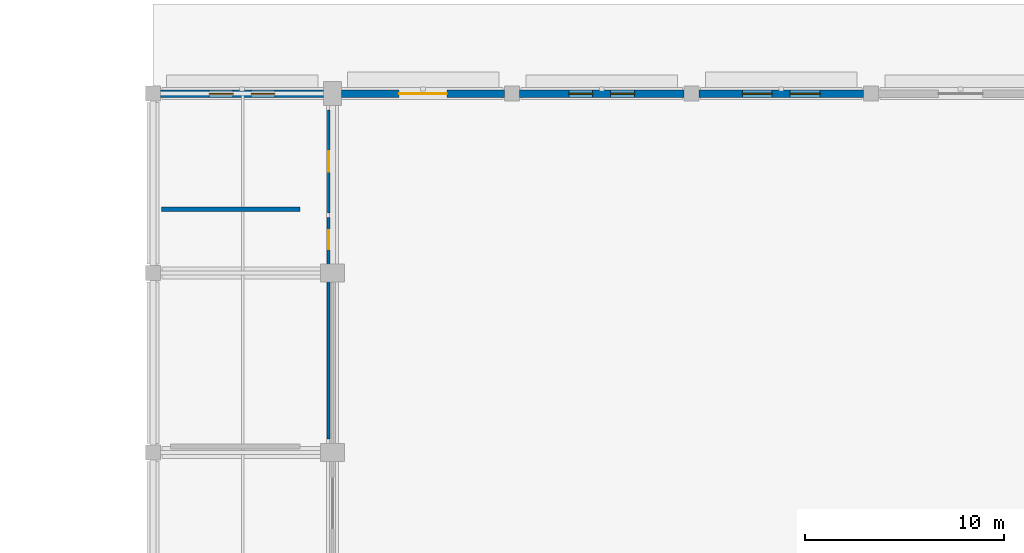
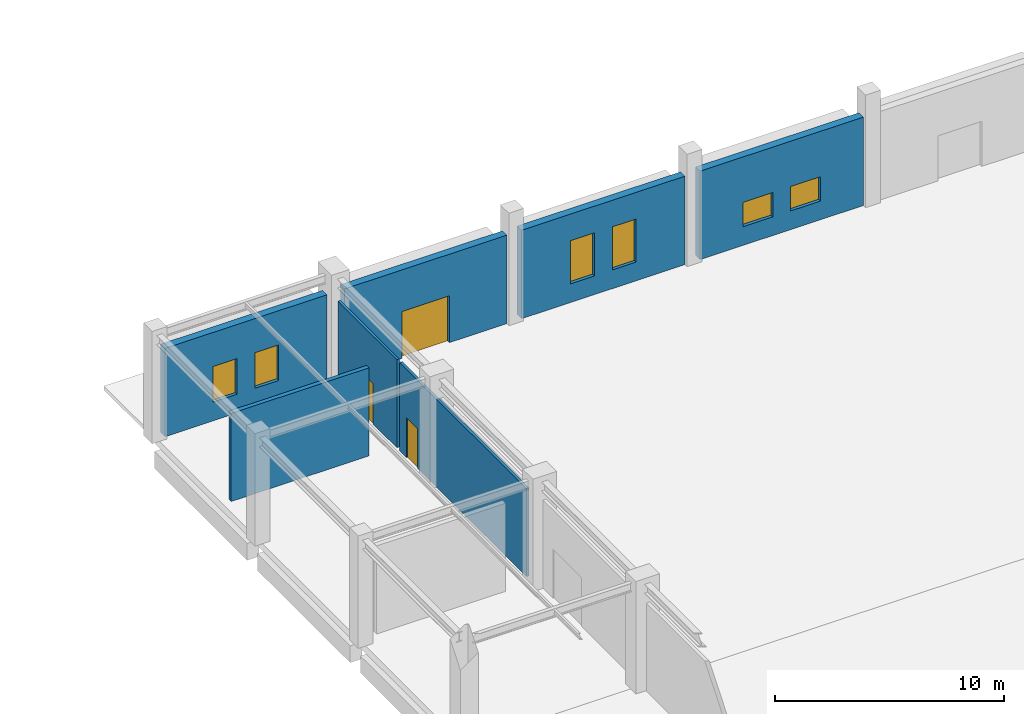
# One storey, part 68 of 91: 7 walls, 6 windows, 3 doors, 9 openings.
"""IFC4 building model written with IfcOpenShell, lengths in metres."""

from ifc_helpers import new_model, si_unit, direction, frame, frame_2d, origin, place, context, subcontext, project, spatial, rectangle, extrude, material, layer, layer_set, type_object, element, fill, save


model = new_model("IFC4")

# Units and contexts
model_context = context("Model", 3, precision=1e-05, world=origin(), true_north=direction((0.0, 1.0)))
body_context = subcontext(model_context, "Body", "Model", "MODEL_VIEW")
ifc_project = project(units=[si_unit("LENGTHUNIT", "METRE"), si_unit("AREAUNIT", "SQUARE_METRE"), si_unit("VOLUMEUNIT", "CUBIC_METRE"), si_unit("PLANEANGLEUNIT", "RADIAN"), si_unit("MASSUNIT", "GRAM", prefix="KILO")], contexts=[model_context])

# Site, building, storey
site_placement = place(None, origin())
site = spatial("IfcSite", under=ifc_project, at=site_placement, CompositionType="ELEMENT")
building_placement = place(site_placement, origin())
building = spatial("IfcBuilding", under=site, at=building_placement, Name="Dornveld Trade and Exhibition Forum", CompositionType="ELEMENT")
storey_placement = place(building_placement, origin())
storey = spatial("IfcBuildingStorey", under=building, at=storey_placement, Name="L00", CompositionType="ELEMENT", Elevation=0.0)

# Wall, openings, windows
ifc_material_1 = material(Name="Precast concrete C50/60", Category="concrete")
ifc_layer_1 = layer(ifc_material_1, 0.3798828125)
ifc_layer_set_1 = layer_set([ifc_layer_1], Name="Precast concrete C50/60")
wall_type_1 = type_object("IfcWallType", Name="WL-EXT-PC380", PredefinedType="SOLIDWALL", material=ifc_layer_set_1)
wall_1_placement = place(storey_placement, frame((98.550537109375, 162.0, 0.0), z_axis=(0.0, 0.0, 1.0), x_axis=(-1.0, 0.0, 0.0)))
wall_1 = element("IfcWall", 1, at=wall_1_placement, inside=storey, type_object=wall_type_1, Name="L00 precast facade wall 27", PredefinedType="SOLIDWALL", context=body_context, shape_type="SweptSolid", body=[
    extrude(rectangle(XDim=8.176025390625, YDim=0.3798828125, at=frame_2d((4.087890625, 0.0))), origin(), (0.0, 0.0, 1.0), 4.719970703125),
])
opening_1_placement = place(wall_1_placement, frame((2.43798828125, 0.0, 1.0)))
opening_1 = element("IfcOpeningElement", 2, at=opening_1_placement, cuts=wall_1, Name="Opening W-05", PredefinedType="OPENING", context=body_context, shape_type="SweptSolid", body=[
    extrude(rectangle(XDim=1.199951171875, YDim=1.89990234375, at=frame_2d((0.60009765625, 0.949951171875))), frame((0.0, 0.199951171875, 0.0), z_axis=(0.0, -1.0, 0.0), x_axis=(1.0, 0.0, 0.0)), (0.0, 0.0, 1.0), 0.39990234375),
])
opening_2_placement = place(wall_1_placement, frame((4.5380859375, 0.0, 1.0)))
opening_2 = element("IfcOpeningElement", 3, at=opening_2_placement, cuts=wall_1, Name="Opening W-05", PredefinedType="OPENING", context=body_context, shape_type="SweptSolid", body=[
    extrude(rectangle(XDim=1.199951171875, YDim=1.89990234375, at=frame_2d((0.60009765625, 0.949951171875))), frame((0.0, 0.199951171875, 0.0), z_axis=(0.0, -1.0, 0.0), x_axis=(1.0, 0.0, 0.0)), (0.0, 0.0, 1.0), 0.39990234375),
])
ifc_material_2 = material(Name="Dark-bronze anodised aluminium and low-E glass", Category="aluminium")
window_type_1 = type_object("IfcWindowType", Name="WIN-AL-05", PartitioningType="SINGLE_PANEL", PredefinedType="WINDOW", material=ifc_material_2)
window_1_placement = place(opening_1_placement, origin())
window_1 = element("IfcWindow", 4, at=window_1_placement, inside=storey, type_object=window_type_1, Name="L00 facade window 5", OverallHeight=1.89990234375, OverallWidth=1.199951171875, PartitioningType="SINGLE_PANEL", PredefinedType="WINDOW", context=body_context, shape_type="SweptSolid", body=[
    extrude(rectangle(XDim=1.199951171875, YDim=1.89990234375, at=frame_2d((0.60009765625, 0.949951171875))), frame((0.0, 0.030029296875, 0.0), z_axis=(0.0, -1.0, 0.0), x_axis=(1.0, 0.0, 0.0)), (0.0, 0.0, 1.0), 0.06005859375),
])
fill(opening_1, window_1)
window_2_placement = place(opening_2_placement, origin())
window_2 = element("IfcWindow", 5, at=window_2_placement, inside=storey, type_object=window_type_1, Name="L00 facade window 6", OverallHeight=1.89990234375, OverallWidth=1.199951171875, PartitioningType="SINGLE_PANEL", PredefinedType="WINDOW", context=body_context, shape_type="SweptSolid", body=[
    extrude(rectangle(XDim=1.199951171875, YDim=1.89990234375, at=frame_2d((0.60009765625, 0.949951171875))), frame((0.0, 0.030029296875, 0.0), z_axis=(0.0, -1.0, 0.0), x_axis=(1.0, 0.0, 0.0)), (0.0, 0.0, 1.0), 0.06005859375),
])
fill(opening_2, window_2)

# Wall, opening, door
wall_2_placement = place(storey_placement, frame((107.62548828125, 162.0, 0.0), z_axis=(0.0, 0.0, 1.0), x_axis=(-1.0, 0.0, 0.0)))
wall_2 = element("IfcWall", 6, at=wall_2_placement, inside=storey, type_object=wall_type_1, Name="L00 precast facade wall 28", PredefinedType="SOLIDWALL", context=body_context, shape_type="SweptSolid", body=[
    extrude(rectangle(XDim=8.176025390625, YDim=0.3798828125, at=frame_2d((4.087890625, 0.0))), origin(), (0.0, 0.0, 1.0), 4.719970703125),
])
opening_3_placement = place(wall_2_placement, frame((2.887939453125, 0.0, 0.0)))
opening_3 = element("IfcOpeningElement", 7, at=opening_3_placement, cuts=wall_2, Name="Opening ED-13", PredefinedType="OPENING", context=body_context, shape_type="SweptSolid", body=[
    extrude(rectangle(XDim=2.39990234375, YDim=2.5, at=frame_2d((1.199951171875, 1.25))), frame((0.0, 0.199951171875, 0.0), z_axis=(0.0, -1.0, 0.0), x_axis=(1.0, 0.0, 0.0)), (0.0, 0.0, 1.0), 0.39990234375),
])
ifc_material_3 = material(Name="Dark-bronze anodised aluminium and laminated safety glass", Category="aluminium")
door_type_1 = type_object("IfcDoorType", Name="DR-EXT-240x250", OperationType="NOTDEFINED", PredefinedType="DOOR", material=ifc_material_3)
door_1_placement = place(opening_3_placement, frame((2.39990234375, 0.0, 0.0), z_axis=(0.0, 0.0, 1.0), x_axis=(-1.0, 0.0, 0.0)))
door_1 = element("IfcDoor", 8, at=door_1_placement, inside=storey, type_object=door_type_1, Name="Ground final exit double door 13", OperationType="DOUBLE_DOOR_SINGLE_SWING", OverallHeight=2.5, OverallWidth=2.39990234375, PredefinedType="DOOR", context=body_context, shape_type="SweptSolid", body=[
    extrude(rectangle(XDim=2.39990234375, YDim=2.5, at=frame_2d((1.199951171875, 1.25))), frame((0.0, 0.02490234375, 0.0), z_axis=(0.0, -1.0, 0.0), x_axis=(1.0, 0.0, 0.0)), (0.0, 0.0, 1.0), 0.050048828125),
])
fill(opening_3, door_1)

# Wall, openings, windows
wall_3_placement = place(storey_placement, frame((116.62548828125, 162.0, 0.0), z_axis=(0.0, 0.0, 1.0), x_axis=(-1.0, 0.0, 0.0)))
wall_3 = element("IfcWall", 9, at=wall_3_placement, inside=storey, type_object=wall_type_1, Name="L00 precast facade wall 29", PredefinedType="SOLIDWALL", context=body_context, shape_type="SweptSolid", body=[
    extrude(rectangle(XDim=8.2509765625, YDim=0.3798828125, at=frame_2d((4.12548828125, 0.0))), origin(), (0.0, 0.0, 1.0), 4.719970703125),
])
opening_4_placement = place(wall_3_placement, frame((2.4755859375, 0.0, 1.0)))
opening_4 = element("IfcOpeningElement", 10, at=opening_4_placement, cuts=wall_3, Name="Opening W-07", PredefinedType="OPENING", context=body_context, shape_type="SweptSolid", body=[
    extrude(rectangle(XDim=1.199951171875, YDim=2.300048828125, at=frame_2d((0.60009765625, 1.14990234375))), frame((0.0, 0.199951171875, 0.0), z_axis=(0.0, -1.0, 0.0), x_axis=(1.0, 0.0, 0.0)), (0.0, 0.0, 1.0), 0.39990234375),
])
opening_5_placement = place(wall_3_placement, frame((4.575439453125, 0.0, 1.0)))
opening_5 = element("IfcOpeningElement", 11, at=opening_5_placement, cuts=wall_3, Name="Opening W-07", PredefinedType="OPENING", context=body_context, shape_type="SweptSolid", body=[
    extrude(rectangle(XDim=1.199951171875, YDim=2.300048828125, at=frame_2d((0.60009765625, 1.14990234375))), frame((0.0, 0.199951171875, 0.0), z_axis=(0.0, -1.0, 0.0), x_axis=(1.0, 0.0, 0.0)), (0.0, 0.0, 1.0), 0.39990234375),
])
ifc_material_4 = material(Name="Dark-bronze anodised aluminium and low-E glass", Category="aluminium")
window_type_2 = type_object("IfcWindowType", Name="WIN-AL-07", PartitioningType="SINGLE_PANEL", PredefinedType="WINDOW", material=ifc_material_4)
window_3_placement = place(opening_4_placement, origin())
window_3 = element("IfcWindow", 12, at=window_3_placement, inside=storey, type_object=window_type_2, Name="L00 facade window 7", OverallHeight=2.300048828125, OverallWidth=1.199951171875, PartitioningType="SINGLE_PANEL", PredefinedType="WINDOW", context=body_context, shape_type="SweptSolid", body=[
    extrude(rectangle(XDim=1.199951171875, YDim=2.300048828125, at=frame_2d((0.60009765625, 1.14990234375))), frame((0.0, 0.030029296875, 0.0), z_axis=(0.0, -1.0, 0.0), x_axis=(1.0, 0.0, 0.0)), (0.0, 0.0, 1.0), 0.06005859375),
])
fill(opening_4, window_3)
window_4_placement = place(opening_5_placement, origin())
window_4 = element("IfcWindow", 13, at=window_4_placement, inside=storey, type_object=window_type_2, Name="L00 facade window 8", OverallHeight=2.300048828125, OverallWidth=1.199951171875, PartitioningType="SINGLE_PANEL", PredefinedType="WINDOW", context=body_context, shape_type="SweptSolid", body=[
    extrude(rectangle(XDim=1.199951171875, YDim=2.300048828125, at=frame_2d((0.60009765625, 1.14990234375))), frame((0.0, 0.030029296875, 0.0), z_axis=(0.0, -1.0, 0.0), x_axis=(1.0, 0.0, 0.0)), (0.0, 0.0, 1.0), 0.06005859375),
])
fill(opening_5, window_4)

wall_4_placement = place(storey_placement, frame((125.62548828125, 162.0, 0.0), z_axis=(0.0, 0.0, 1.0), x_axis=(-1.0, 0.0, 0.0)))
wall_4 = element("IfcWall", 14, at=wall_4_placement, inside=storey, type_object=wall_type_1, Name="L00 precast facade wall 30", PredefinedType="SOLIDWALL", context=body_context, shape_type="SweptSolid", body=[
    extrude(rectangle(XDim=8.2509765625, YDim=0.3798828125, at=frame_2d((4.12548828125, 0.0))), origin(), (0.0, 0.0, 1.0), 4.719970703125),
])
opening_6_placement = place(wall_4_placement, frame((2.175537109375, 0.0, 1.0)))
opening_6 = element("IfcOpeningElement", 15, at=opening_6_placement, cuts=wall_4, Name="Opening W-09", PredefinedType="OPENING", context=body_context, shape_type="SweptSolid", body=[
    extrude(rectangle(XDim=1.5, YDim=1.300048828125, at=frame_2d((0.75, 0.64990234375))), frame((0.0, 0.199951171875, 0.0), z_axis=(0.0, -1.0, 0.0), x_axis=(1.0, 0.0, 0.0)), (0.0, 0.0, 1.0), 0.39990234375),
])
opening_7_placement = place(wall_4_placement, frame((4.575439453125, 0.0, 1.0)))
opening_7 = element("IfcOpeningElement", 16, at=opening_7_placement, cuts=wall_4, Name="Opening W-09", PredefinedType="OPENING", context=body_context, shape_type="SweptSolid", body=[
    extrude(rectangle(XDim=1.5, YDim=1.300048828125, at=frame_2d((0.75, 0.64990234375))), frame((0.0, 0.199951171875, 0.0), z_axis=(0.0, -1.0, 0.0), x_axis=(1.0, 0.0, 0.0)), (0.0, 0.0, 1.0), 0.39990234375),
])
ifc_material_5 = material(Name="Dark-bronze anodised aluminium and low-E glass", Category="aluminium")
window_type_3 = type_object("IfcWindowType", Name="WIN-AL-09", PartitioningType="SINGLE_PANEL", PredefinedType="WINDOW", material=ifc_material_5)
window_5_placement = place(opening_6_placement, origin())
window_5 = element("IfcWindow", 17, at=window_5_placement, inside=storey, type_object=window_type_3, Name="L00 facade window 9", OverallHeight=1.300048828125, OverallWidth=1.5, PartitioningType="SINGLE_PANEL", PredefinedType="WINDOW", context=body_context, shape_type="SweptSolid", body=[
    extrude(rectangle(XDim=1.5, YDim=1.300048828125, at=frame_2d((0.75, 0.64990234375))), frame((0.0, 0.030029296875, 0.0), z_axis=(0.0, -1.0, 0.0), x_axis=(1.0, 0.0, 0.0)), (0.0, 0.0, 1.0), 0.06005859375),
])
fill(opening_6, window_5)
window_6_placement = place(opening_7_placement, origin())
window_6 = element("IfcWindow", 18, at=window_6_placement, inside=storey, type_object=window_type_3, Name="L00 facade window 10", OverallHeight=1.300048828125, OverallWidth=1.5, PartitioningType="SINGLE_PANEL", PredefinedType="WINDOW", context=body_context, shape_type="SweptSolid", body=[
    extrude(rectangle(XDim=1.5, YDim=1.300048828125, at=frame_2d((0.75, 0.64990234375))), frame((0.0, 0.030029296875, 0.0), z_axis=(0.0, -1.0, 0.0), x_axis=(1.0, 0.0, 0.0)), (0.0, 0.0, 1.0), 0.06005859375),
])
fill(opening_7, window_6)

# Wall
ifc_material_6 = material(Name="Acoustic twin-stud gypsum and mineral wool", Category="gypsum")
ifc_layer_2 = layer(ifc_material_6, 0.215087890625)
ifc_layer_set_2 = layer_set([ifc_layer_2], Name="Acoustic twin-stud gypsum and mineral wool")
wall_type_2 = type_object("IfcWallType", Name="WL-INT-AC215", PredefinedType="PARTITIONING", material=ifc_layer_set_2)
wall_5_placement = place(storey_placement, frame((90.419921875, 156.199951171875, 0.0), z_axis=(0.0, 0.0, 1.0), x_axis=(1.0, 0.0, 0.0)))
element("IfcWall", 19, at=wall_5_placement, inside=storey, type_object=wall_type_2, Name="L00 interior partition 4", PredefinedType="PARTITIONING", context=body_context, shape_type="SweptSolid", body=[
    extrude(rectangle(XDim=6.9599609375, YDim=0.215087890625, at=frame_2d((3.47998046875, 0.0))), origin(), (0.0, 0.0, 1.0), 4.699951171875),
])

# Wall, opening, door
ifc_material_7 = material(Name="Steel-stud gypsum partition", Category="steel")
ifc_layer_3 = layer(ifc_material_7, 0.135009765625)
ifc_layer_set_3 = layer_set([ifc_layer_3], Name="Steel-stud gypsum partition")
wall_type_3 = type_object("IfcWallType", Name="WL-INT-ST135", PredefinedType="PARTITIONING", material=ifc_layer_set_3)
wall_6_placement = place(storey_placement, frame((98.800048828125, 144.679931640625, 0.0), z_axis=(0.0, 0.0, 1.0), x_axis=(0.0, 1.0, 0.0)))
wall_6 = element("IfcWall", 20, at=wall_6_placement, inside=storey, type_object=wall_type_3, Name="L00 interior partition 21", PredefinedType="PARTITIONING", context=body_context, shape_type="SweptSolid", body=[
    extrude(rectangle(XDim=11.10009765625, YDim=0.135009765625, at=frame_2d((5.550048828125, 0.0))), origin(), (0.0, 0.0, 1.0), 4.699951171875),
])
opening_8_placement = place(wall_6_placement, frame((9.510009765625, 0.0, 0.0)))
opening_8 = element("IfcOpeningElement", 21, at=opening_8_placement, cuts=wall_6, Name="Opening WD-02-011", PredefinedType="OPENING", context=body_context, shape_type="SweptSolid", body=[
    extrude(rectangle(XDim=0.9599609375, YDim=2.1201171875, at=frame_2d((0.47998046875, 1.06005859375))), frame((0.0, 0.077392578125, 0.0), z_axis=(0.0, -1.0, 0.0), x_axis=(1.0, 0.0, 0.0)), (0.0, 0.0, 1.0), 0.155029296875),
])
ifc_material_8 = material(Name="Laminate sanitary lobby door", Category="wood")
door_type_2 = type_object("IfcDoorType", Name="DR-WC-096x212", OperationType="NOTDEFINED", PredefinedType="DOOR", material=ifc_material_8)
door_2_placement = place(opening_8_placement, origin())
door_2 = element("IfcDoor", 22, at=door_2_placement, inside=storey, type_object=door_type_2, Name="L00 interior room door 11", OperationType="SINGLE_SWING_LEFT", OverallHeight=2.1201171875, OverallWidth=0.9599609375, PredefinedType="DOOR", context=body_context, shape_type="SweptSolid", body=[
    extrude(rectangle(XDim=0.9599609375, YDim=2.1201171875, at=frame_2d((0.47998046875, 1.06005859375))), frame((0.0, 0.02490234375, 0.0), z_axis=(0.0, -1.0, 0.0), x_axis=(1.0, 0.0, 0.0)), (0.0, 0.0, 1.0), 0.050048828125),
])
fill(opening_8, door_2)

ifc_material_9 = material(Name="Moisture-resistant wet-room partition", Category="gypsum")
ifc_layer_4 = layer(ifc_material_9, 0.125)
ifc_layer_set_4 = layer_set([ifc_layer_4], Name="Moisture-resistant wet-room partition")
wall_type_4 = type_object("IfcWallType", Name="WL-INT-WC125", PredefinedType="PARTITIONING", material=ifc_layer_set_4)
wall_7_placement = place(storey_placement, frame((98.800048828125, 156.02001953125, 0.0), z_axis=(0.0, 0.0, 1.0), x_axis=(0.0, 1.0, 0.0)))
wall_7 = element("IfcWall", 23, at=wall_7_placement, inside=storey, type_object=wall_type_4, Name="L00 interior partition 22", PredefinedType="PARTITIONING", context=body_context, shape_type="SweptSolid", body=[
    extrude(rectangle(XDim=5.159912109375, YDim=0.125, at=frame_2d((2.580078125, 0.0))), origin(), (0.0, 0.0, 1.0), 4.699951171875),
])
opening_9_placement = place(wall_7_placement, frame((2.070068359375, 0.0, 0.0)))
opening_9 = element("IfcOpeningElement", 24, at=opening_9_placement, cuts=wall_7, Name="Opening WD-01-012", PredefinedType="OPENING", context=body_context, shape_type="SweptSolid", body=[
    extrude(rectangle(XDim=1.02001953125, YDim=2.14990234375, at=frame_2d((0.510009765625, 1.074951171875))), frame((0.0, 0.072509765625, 0.0), z_axis=(0.0, -1.0, 0.0), x_axis=(1.0, 0.0, 0.0)), (0.0, 0.0, 1.0), 0.14501953125),
])
ifc_material_10 = material(Name="Laminate accessible WC outward-opening door", Category="wood")
door_type_3 = type_object("IfcDoorType", Name="DR-WC-102x215", OperationType="NOTDEFINED", PredefinedType="DOOR", material=ifc_material_10)
door_3_placement = place(opening_9_placement, origin())
door_3 = element("IfcDoor", 25, at=door_3_placement, inside=storey, type_object=door_type_3, Name="L00 interior room door 12", OperationType="SINGLE_SWING_RIGHT", OverallHeight=2.14990234375, OverallWidth=1.02001953125, PredefinedType="DOOR", context=body_context, shape_type="SweptSolid", body=[
    extrude(rectangle(XDim=1.02001953125, YDim=2.14990234375, at=frame_2d((0.510009765625, 1.074951171875))), frame((0.0, 0.02490234375, 0.0), z_axis=(0.0, -1.0, 0.0), x_axis=(1.0, 0.0, 0.0)), (0.0, 0.0, 1.0), 0.050048828125),
])
fill(opening_9, door_3)

save(model, "model.ifc")
